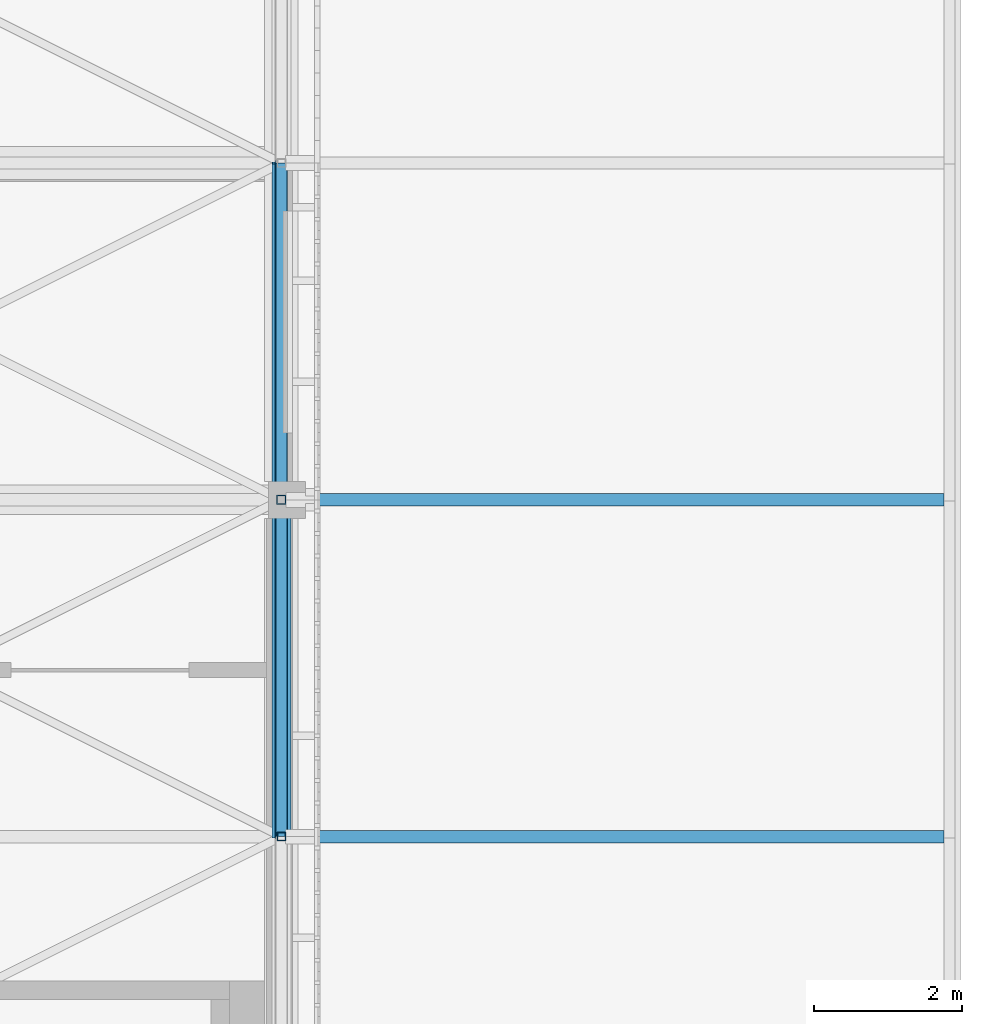
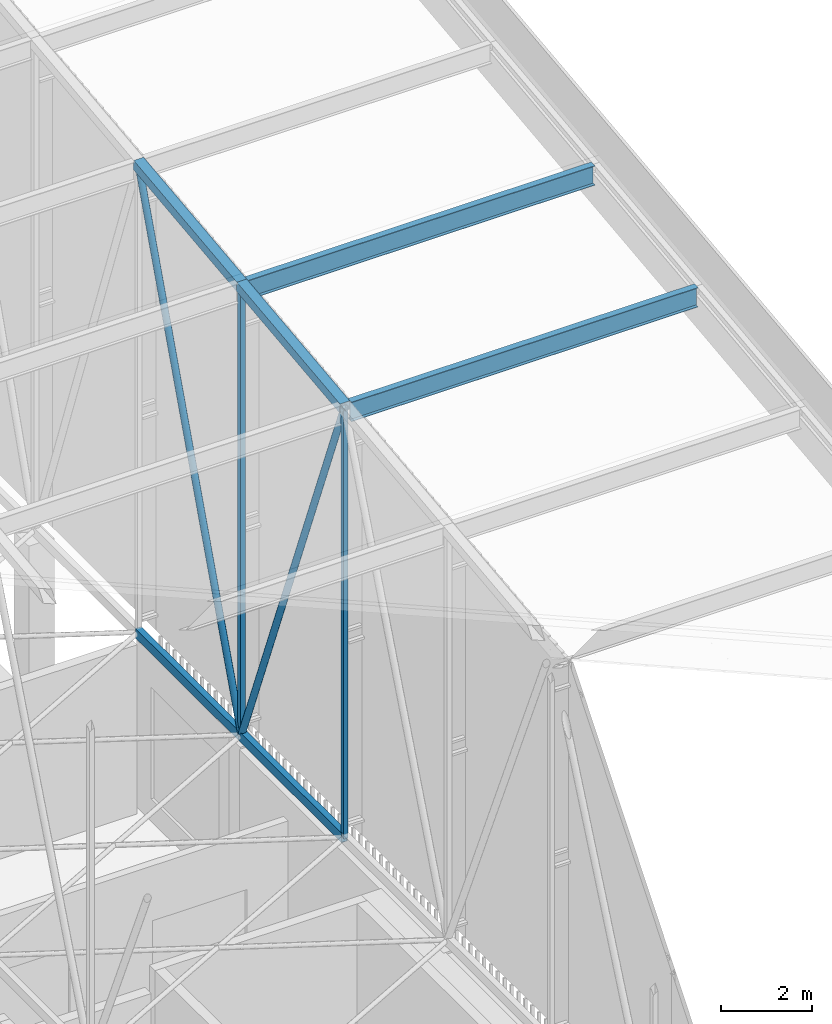
# One storey, part 357 of 500: 10 members.
"""IFC4 building model written with IfcOpenShell, lengths in metres."""

from ifc_helpers import new_model, si_unit, direction, frame, origin, origin_2d, place, context, subcontext, project, spatial, hollow_rectangle, hollow_circle, i_section, extrude, material, material_profile, profile_set, type_object, element, save


model = new_model("IFC4")

# Units and contexts
model_context = context("Model", 3, precision=1e-05, world=origin(), true_north=direction((0.0, 1.0)))
body_context = subcontext(model_context, "Body", "Model", "MODEL_VIEW")
ifc_project = project(units=[si_unit("LENGTHUNIT", "METRE"), si_unit("AREAUNIT", "SQUARE_METRE"), si_unit("VOLUMEUNIT", "CUBIC_METRE"), si_unit("PLANEANGLEUNIT", "RADIAN"), si_unit("MASSUNIT", "GRAM", prefix="KILO")], contexts=[model_context])

# Site, building, storey
site_placement = place(None, origin())
site = spatial("IfcSite", under=ifc_project, at=site_placement, CompositionType="ELEMENT")
building_placement = place(site_placement, origin())
building = spatial("IfcBuilding", under=site, at=building_placement, Name="Shirokan Park Arena", CompositionType="ELEMENT")
storey_placement = place(building_placement, frame((0.0, 0.0, 29.1201171875)))
storey = spatial("IfcBuildingStorey", under=building, at=storey_placement, Name="L06", CompositionType="ELEMENT", Elevation=29.1201171875)

# Members
ifc_material_1 = material(Name="Steel ASTM A500 Grade C", Category="steel")
ifc_material_profile_1 = material_profile(ifc_material_1, hollow_rectangle(XDim=0.152099609375, YDim=0.25390625, WallThickness=0.009521484375, at=origin_2d()), Name="HSS254X152.4X9.5")
ifc_profile_set_1 = profile_set([ifc_material_profile_1], Name="Steel ASTM A500 Grade C")
member_type_1 = type_object("IfcMemberType", Name="Bottom chord HSS254X152.4X9.5", PredefinedType="CHORD", material=ifc_profile_set_1)
member_1_placement = place(storey_placement, frame((145.60009765625, 31.85009765625, 4.677001953125), z_axis=(0.0, 1.0, 0.0), x_axis=(-1.0, 0.0, 0.0)))
element("IfcMember", 1, at=member_1_placement, inside=storey, type_object=member_type_1, Name="Truss T17 bottom chord 10", PredefinedType="CHORD", context=body_context, shape_type="SweptSolid", body=[
    extrude(hollow_rectangle(XDim=0.152099609375, YDim=0.25390625, WallThickness=0.009521484375, at=origin_2d()), origin(), (0.0, 0.0, 1.0), 4.5498046875),
])
member_2_placement = place(storey_placement, frame((145.60009765625, 36.39990234375, 4.677001953125), z_axis=(0.0, 1.0, 0.0), x_axis=(-1.0, 0.0, 0.0)))
element("IfcMember", 2, at=member_2_placement, inside=storey, type_object=member_type_1, Name="Truss T17 bottom chord 11", PredefinedType="CHORD", context=body_context, shape_type="SweptSolid", body=[
    extrude(hollow_rectangle(XDim=0.152099609375, YDim=0.25390625, WallThickness=0.009521484375, at=origin_2d()), origin(), (0.0, 0.0, 1.0), 4.550048828125),
])
ifc_material_2 = material(Name="Steel ASTM A992", Category="steel")
ifc_material_profile_2 = material_profile(ifc_material_2, i_section(OverallWidth=0.166015625, OverallDepth=0.528076171875, WebThickness=0.009765625, FlangeThickness=0.013671875, at=origin_2d()), Name="W530X74")
ifc_profile_set_2 = profile_set([ifc_material_profile_2], Name="Steel ASTM A992")
member_type_2 = type_object("IfcMemberType", Name="Purlin W530X74", PredefinedType="PURLIN", material=ifc_profile_set_2)
for number, where, z_axis, x_axis, name in (
    (3, (145.72705078125, 31.85009765625, 16.1259765625), (1.0, 0.0, 0.0), (0.0, 1.0, 0.0), "Eave purlin east 10"),
    (4, (145.72705078125, 36.39990234375, 16.64599609375), (1.0, 0.0, 0.0), (0.0, 1.0, 0.0), "Eave purlin east 11"),
):
    element("IfcMember", number, at=place(storey_placement, frame(where, z_axis=z_axis, x_axis=x_axis)), inside=storey, type_object=member_type_2, Name=name, PredefinedType="PURLIN", context=body_context, shape_type="SweptSolid", body=[
        extrude(i_section(OverallWidth=0.166015625, OverallDepth=0.528076171875, WebThickness=0.009765625, FlangeThickness=0.013671875, at=origin_2d()), origin(), (0.0, 0.0, 1.0), 8.824951171875),
    ])
ifc_material_profile_3 = material_profile(ifc_material_1, hollow_rectangle(XDim=0.25390625, YDim=0.25390625, WallThickness=0.009521484375, at=origin_2d()), Name="HSS254X254X9.5")
ifc_profile_set_3 = profile_set([ifc_material_profile_3], Name="Steel ASTM A500 Grade C")
member_type_3 = type_object("IfcMemberType", Name="Top chord HSS254X254X9.5", PredefinedType="CHORD", material=ifc_profile_set_3)
member_3_placement = place(storey_placement, frame((145.60009765625, 31.85009765625, 16.262939453125), z_axis=(0.0, 0.993531641592, 0.11355561261), x_axis=(-1.0, 0.0, 0.0)))
element("IfcMember", 5, at=member_3_placement, inside=storey, type_object=member_type_3, Name="Truss T17 top chord 10", PredefinedType="CHORD", context=body_context, shape_type="SweptSolid", body=[
    extrude(hollow_rectangle(XDim=0.25390625, YDim=0.25390625, WallThickness=0.009521484375, at=origin_2d()), origin(), (0.0, 0.0, 1.0), 4.579345703125),
])
member_4_placement = place(storey_placement, frame((145.60009765625, 36.39990234375, 16.782958984375), z_axis=(0.0, 0.993532328996, 0.113549598152), x_axis=(-1.0, 0.0, 0.0)))
element("IfcMember", 6, at=member_4_placement, inside=storey, type_object=member_type_3, Name="Truss T17 top chord 11", PredefinedType="CHORD", context=body_context, shape_type="SweptSolid", body=[
    extrude(hollow_rectangle(XDim=0.25390625, YDim=0.25390625, WallThickness=0.009521484375, at=origin_2d()), origin(), (0.0, 0.0, 1.0), 4.57958984375),
])
ifc_material_profile_4 = material_profile(ifc_material_1, hollow_circle(Radius=0.083984375, WallThickness=0.009521484375, at=origin_2d()), Name="HSS168.3X9.5")
ifc_profile_set_4 = profile_set([ifc_material_profile_4], Name="Steel ASTM A500 Grade C")
member_type_4 = type_object("IfcMemberType", Name="Truss diagonal HSS168.3X9.5", PredefinedType="BRACE", material=ifc_profile_set_4)
member_5_placement = place(storey_placement, frame((145.60009765625, 31.85009765625, 16.262939453125), z_axis=(0.0, 0.365526146051, -0.930801072493), x_axis=(-1.0, 0.0, 0.0)))
element("IfcMember", 7, at=member_5_placement, inside=storey, type_object=member_type_4, Name="Truss T17 diagonal 10", PredefinedType="BRACE", context=body_context, shape_type="SweptSolid", body=[
    extrude(hollow_circle(Radius=0.083984375, WallThickness=0.009521484375, at=origin_2d()), origin(), (0.0, 0.0, 1.0), 12.447265625),
])
member_6_placement = place(storey_placement, frame((145.60009765625, 36.39990234375, 4.677001953125), z_axis=(0.0, 0.339029292845, 0.940775817394), x_axis=(-1.0, 0.0, 0.0)))
element("IfcMember", 8, at=member_6_placement, inside=storey, type_object=member_type_4, Name="Truss T17 diagonal 11", PredefinedType="BRACE", context=body_context, shape_type="SweptSolid", body=[
    extrude(hollow_circle(Radius=0.083984375, WallThickness=0.009521484375, at=origin_2d()), origin(), (0.0, 0.0, 1.0), 13.4208984375),
])
ifc_material_profile_5 = material_profile(ifc_material_1, hollow_rectangle(XDim=0.114013671875, YDim=0.114013671875, WallThickness=0.00634765625, at=origin_2d()), Name="HSS114.3X114.3X6.4")
ifc_profile_set_5 = profile_set([ifc_material_profile_5], Name="Steel ASTM A500 Grade C")
member_type_5 = type_object("IfcMemberType", Name="Truss post HSS114.3X114.3X6.4", PredefinedType="POST", material=ifc_profile_set_5)
member_7_placement = place(storey_placement, frame((145.60009765625, 31.85009765625, 4.677001953125), z_axis=(0.0, 0.0, 1.0), x_axis=(1.0, 0.0, 0.0)))
element("IfcMember", 9, at=member_7_placement, inside=storey, type_object=member_type_5, Name="Truss T17 post 10", PredefinedType="POST", context=body_context, shape_type="SweptSolid", body=[
    extrude(hollow_rectangle(XDim=0.114013671875, YDim=0.114013671875, WallThickness=0.00634765625, at=origin_2d()), origin(), (0.0, 0.0, 1.0), 11.5859375),
])
ifc_material_profile_6 = material_profile(ifc_material_1, hollow_rectangle(XDim=0.126953125, YDim=0.126953125, WallThickness=0.0126953125, at=origin_2d()), Name="HSS127X127X12.7")
ifc_profile_set_6 = profile_set([ifc_material_profile_6], Name="Steel ASTM A500 Grade C")
member_type_6 = type_object("IfcMemberType", Name="Truss post HSS127X127X12.7", PredefinedType="POST", material=ifc_profile_set_6)
member_8_placement = place(storey_placement, frame((145.60009765625, 36.39990234375, 4.677001953125), z_axis=(0.0, 0.0, 1.0), x_axis=(1.0, 0.0, 0.0)))
element("IfcMember", 10, at=member_8_placement, inside=storey, type_object=member_type_6, Name="Truss T17 post 11", PredefinedType="POST", context=body_context, shape_type="SweptSolid", body=[
    extrude(hollow_rectangle(XDim=0.126953125, YDim=0.126953125, WallThickness=0.0126953125, at=origin_2d()), origin(), (0.0, 0.0, 1.0), 12.10595703125),
])

save(model, "model.ifc")
